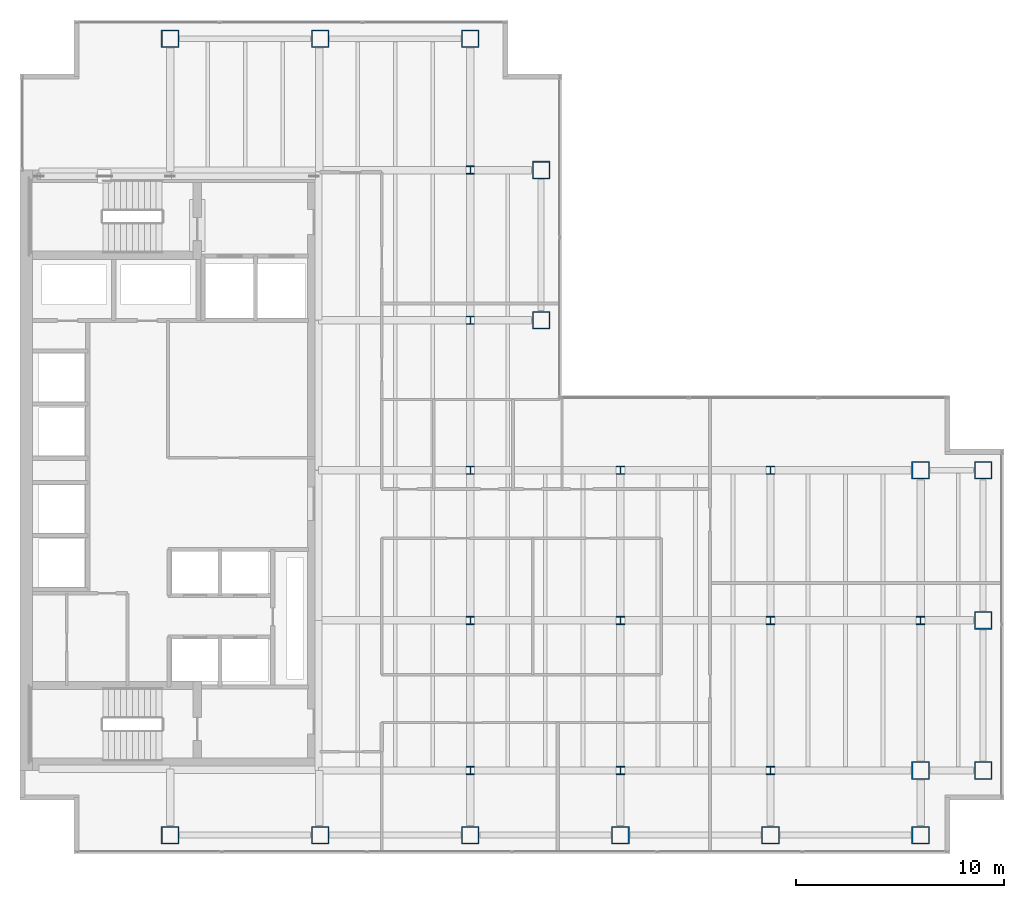
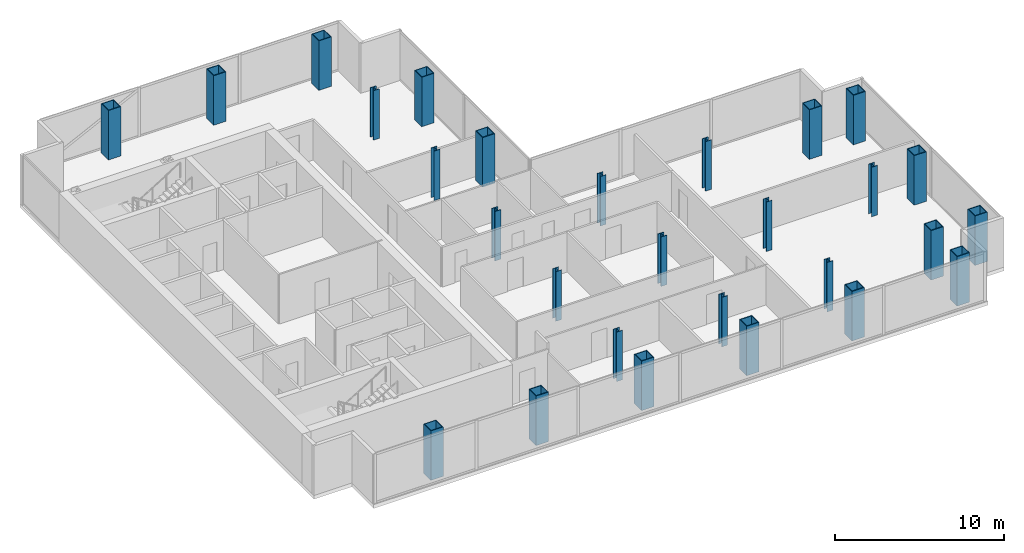
# One storey, part 1 of 23: 28 columns.
"""IFC4 building model written with IfcOpenShell, lengths in metres."""

from ifc_helpers import new_model, si_unit, direction, frame, origin, origin_2d, place, context, subcontext, project, spatial, hollow_rectangle, i_section, extrude, material, material_profile, profile_set, type_object, element, save


model = new_model("IFC4")

# Units and contexts
model_context = context("Model", 3, precision=1e-05, world=origin(), true_north=direction((0.0, 1.0)))
body_context = subcontext(model_context, "Body", "Model", "MODEL_VIEW")
ifc_project = project(units=[si_unit("LENGTHUNIT", "METRE"), si_unit("AREAUNIT", "SQUARE_METRE"), si_unit("VOLUMEUNIT", "CUBIC_METRE"), si_unit("PLANEANGLEUNIT", "RADIAN"), si_unit("MASSUNIT", "GRAM", prefix="KILO")], contexts=[model_context])

# Site, building, storey
site_placement = place(None, origin())
site = spatial("IfcSite", under=ifc_project, at=site_placement, CompositionType="ELEMENT")
building_placement = place(site_placement, origin())
building = spatial("IfcBuilding", under=site, at=building_placement, Name="Cobrela Telecom Tower", CompositionType="ELEMENT")
storey_placement = place(building_placement, frame((0.0, 0.0, 148.39990234375)))
storey = spatial("IfcBuildingStorey", under=building, at=storey_placement, Name="L37", CompositionType="ELEMENT", Elevation=148.39990234375)

# Columns
ifc_material_1 = material(Name="Steel ASTM A992 Grade 50", Category="steel")
ifc_material_profile_1 = material_profile(ifc_material_1, i_section(OverallWidth=0.39892578125, OverallDepth=0.39404296875, WebThickness=0.022705078125, FlangeThickness=0.03662109375, FilletRadius=0.01806640625, at=origin_2d()), Name="W14X193")
ifc_profile_set_1 = profile_set([ifc_material_profile_1], Name="Steel ASTM A992 Grade 50")
column_type_1 = type_object("IfcColumnType", Name="COL-INT-06", PredefinedType="COLUMN", material=ifc_profile_set_1)
for number, where, z_axis, x_axis, name in (
    (1, (21.60009765625, 7.199951171875, 0.0), (0.0, 0.0, 1.0), (1.0, 0.0, 0.0), "L37 Interior Column 06"),
    (2, (21.60009765625, 14.39990234375, 0.0), (0.0, 0.0, 1.0), (1.0, 0.0, 0.0), "L37 Interior Column 07"),
    (3, (21.60009765625, 21.60009765625, 0.0), (0.0, 0.0, 1.0), (1.0, 0.0, 0.0), "L37 Interior Column 08"),
    (4, (21.60009765625, 28.800048828125, 0.0), (0.0, 0.0, 1.0), (1.0, 0.0, 0.0), "L37 Interior Column 09"),
    (5, (21.60009765625, 36.0, 0.0), (0.0, 0.0, 1.0), (1.0, 0.0, 0.0), "L37 Interior Column 10"),
    (6, (28.800048828125, 7.199951171875, 0.0), (0.0, 0.0, 1.0), (1.0, 0.0, 0.0), "L37 Interior Column 15"),
    (7, (28.800048828125, 14.39990234375, 0.0), (0.0, 0.0, 1.0), (1.0, 0.0, 0.0), "L37 Interior Column 16"),
    (8, (28.800048828125, 21.60009765625, 0.0), (0.0, 0.0, 1.0), (1.0, 0.0, 0.0), "L37 Interior Column 17"),
    (9, (36.0, 7.199951171875, 0.0), (0.0, 0.0, 1.0), (1.0, 0.0, 0.0), "L37 Interior Column 19"),
    (10, (36.0, 14.39990234375, 0.0), (0.0, 0.0, 1.0), (1.0, 0.0, 0.0), "L37 Interior Column 20"),
    (11, (36.0, 21.60009765625, 0.0), (0.0, 0.0, 1.0), (1.0, 0.0, 0.0), "L37 Interior Column 21"),
    (12, (43.199951171875, 14.39990234375, 0.0), (0.0, 0.0, 1.0), (1.0, 0.0, 0.0), "L37 Interior Column 24"),
):
    element("IfcColumn", number, at=place(storey_placement, frame(where, z_axis=z_axis, x_axis=x_axis)), inside=storey, type_object=column_type_1, Name=name, PredefinedType="COLUMN", context=body_context, shape_type="SweptSolid", body=[
        extrude(i_section(OverallWidth=0.39892578125, OverallDepth=0.39404296875, WebThickness=0.022705078125, FlangeThickness=0.03662109375, FilletRadius=0.01806640625, at=origin_2d()), origin(), (0.0, 0.0, 1.0), 3.580078125),
    ])
ifc_material_2 = material(Name="Steel ASTM A572 Grade 50", Category="steel")
ifc_material_profile_2 = material_profile(ifc_material_2, hollow_rectangle(XDim=0.85009765625, YDim=0.85009765625, WallThickness=0.050048828125, at=origin_2d()), Name="BOX 850x850x50")
ifc_profile_set_2 = profile_set([ifc_material_profile_2], Name="Steel ASTM A572 Grade 50")
column_type_2 = type_object("IfcColumnType", Name="COL-MEGA-06", PredefinedType="COLUMN", material=ifc_profile_set_2)
for number, where, z_axis, x_axis, name in (
    (13, (7.199951171875, 4.10009765625, 0.0), (0.0, 0.0, 1.0), (1.0, 0.0, 0.0), "L37 Perimeter Mega-Column 01"),
    (14, (7.199951171875, 42.300048828125, 0.0), (0.0, 0.0, 1.0), (1.0, 0.0, 0.0), "L37 Perimeter Mega-Column 02"),
    (15, (14.39990234375, 4.10009765625, 0.0), (0.0, 0.0, 1.0), (1.0, 0.0, 0.0), "L37 Perimeter Mega-Column 03"),
    (16, (14.39990234375, 42.300048828125, 0.0), (0.0, 0.0, 1.0), (1.0, 0.0, 0.0), "L37 Perimeter Mega-Column 04"),
    (17, (21.60009765625, 4.10009765625, 0.0), (0.0, 0.0, 1.0), (1.0, 0.0, 0.0), "L37 Perimeter Mega-Column 05"),
    (18, (21.60009765625, 42.300048828125, 0.0), (0.0, 0.0, 1.0), (1.0, 0.0, 0.0), "L37 Perimeter Mega-Column 11"),
    (19, (25.0, 28.800048828125, 0.0), (0.0, 0.0, 1.0), (1.0, 0.0, 0.0), "L37 Perimeter Mega-Column 12"),
    (20, (25.0, 36.0, 0.0), (0.0, 0.0, 1.0), (1.0, 0.0, 0.0), "L37 Perimeter Mega-Column 13"),
    (21, (28.800048828125, 4.10009765625, 0.0), (0.0, 0.0, 1.0), (1.0, 0.0, 0.0), "L37 Perimeter Mega-Column 14"),
    (22, (36.0, 4.10009765625, 0.0), (0.0, 0.0, 1.0), (1.0, 0.0, 0.0), "L37 Perimeter Mega-Column 18"),
    (23, (43.199951171875, 4.10009765625, 0.0), (0.0, 0.0, 1.0), (1.0, 0.0, 0.0), "L37 Perimeter Mega-Column 22"),
    (24, (43.199951171875, 7.199951171875, 0.0), (0.0, 0.0, 1.0), (1.0, 0.0, 0.0), "L37 Perimeter Mega-Column 23"),
    (25, (43.199951171875, 21.60009765625, 0.0), (0.0, 0.0, 1.0), (1.0, 0.0, 0.0), "L37 Perimeter Mega-Column 25"),
    (26, (46.199951171875, 7.199951171875, 0.0), (0.0, 0.0, 1.0), (1.0, 0.0, 0.0), "L37 Perimeter Mega-Column 26"),
    (27, (46.199951171875, 14.39990234375, 0.0), (0.0, 0.0, 1.0), (1.0, 0.0, 0.0), "L37 Perimeter Mega-Column 27"),
    (28, (46.199951171875, 21.60009765625, 0.0), (0.0, 0.0, 1.0), (1.0, 0.0, 0.0), "L37 Perimeter Mega-Column 28"),
):
    element("IfcColumn", number, at=place(storey_placement, frame(where, z_axis=z_axis, x_axis=x_axis)), inside=storey, type_object=column_type_2, Name=name, PredefinedType="COLUMN", context=body_context, shape_type="SweptSolid", body=[
        extrude(hollow_rectangle(XDim=0.85009765625, YDim=0.85009765625, WallThickness=0.050048828125, at=origin_2d()), origin(), (0.0, 0.0, 1.0), 3.580078125),
    ])

save(model, "model.ifc")
